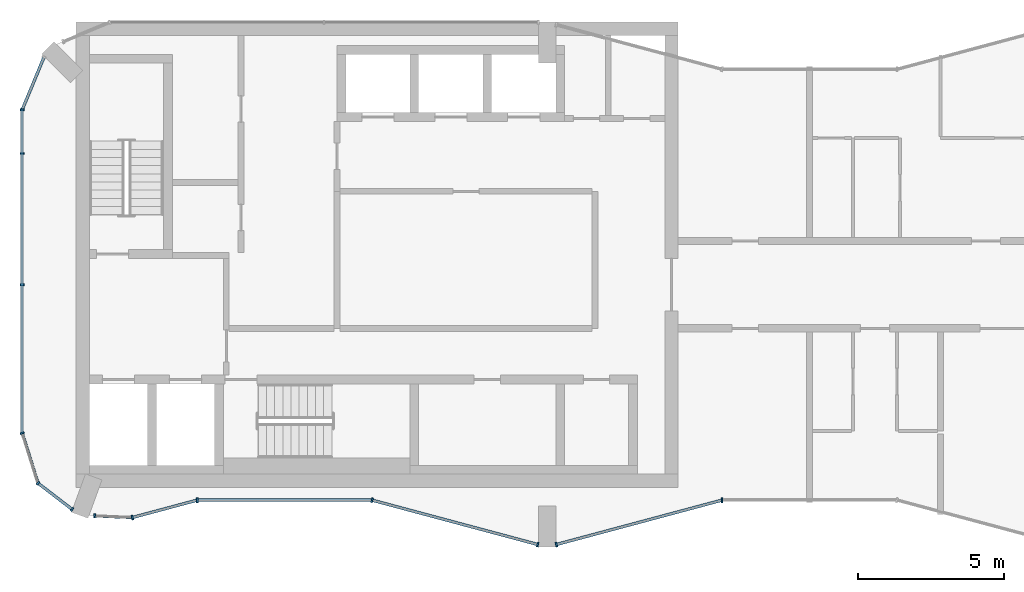
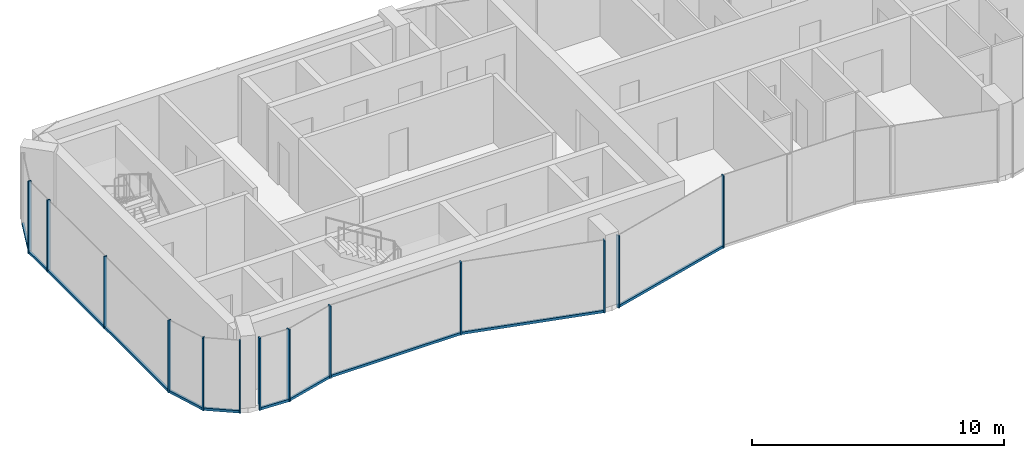
# One storey, part 2 of 10: 22 members, 10 elements without a shape of their own.
"""IFC4 building model written with IfcOpenShell, lengths in metres."""

from ifc_helpers import new_model, si_unit, direction, frame, origin, origin_2d, place, context, subcontext, project, spatial, rectangle, extrude, material, layer, layer_set, material_profile, profile_set, type_object, element, aggregate, save


model = new_model("IFC4")

# Units and contexts
model_context = context("Model", 3, precision=1e-05, world=origin(), true_north=direction((0.0, 1.0)))
body_context = subcontext(model_context, "Body", "Model", "MODEL_VIEW")
ifc_project = project(units=[si_unit("LENGTHUNIT", "METRE"), si_unit("AREAUNIT", "SQUARE_METRE"), si_unit("VOLUMEUNIT", "CUBIC_METRE"), si_unit("PLANEANGLEUNIT", "RADIAN"), si_unit("MASSUNIT", "GRAM", prefix="KILO")], contexts=[model_context])

# Site, building, storey
site_placement = place(None, origin())
site = spatial("IfcSite", under=ifc_project, at=site_placement, CompositionType="ELEMENT")
building_placement = place(site_placement, origin())
building = spatial("IfcBuilding", under=site, at=building_placement, Name="Plateau Cross Towers", CompositionType="ELEMENT")
storey_placement = place(building_placement, frame((0.0, 0.0, 277.39990234375)))
storey = spatial("IfcBuildingStorey", under=building, at=storey_placement, Name="L73", CompositionType="ELEMENT", Elevation=277.39990234375)

# Curtain wall, members
ifc_material_1 = material(Name="Dark low-iron glass", Category="glass")
ifc_layer_1 = layer(ifc_material_1, 0.239990234375)
ifc_layer_set_1 = layer_set([ifc_layer_1], Name="Dark low-iron glass")
curtain_wall_type_1 = type_object("IfcCurtainWallType", Name="Curtain wall flush unitised CW-B", PredefinedType="NOTDEFINED", material=ifc_layer_set_1)
curtain_wall_1_placement = place(storey_placement, origin())
curtain_wall_1 = element("IfcCurtainWall", 1, at=curtain_wall_1_placement, inside=storey, type_object=curtain_wall_type_1, Name="ENV/A/L73/A0_150", PredefinedType="NOTDEFINED")
ifc_material_2 = material(Name="Black anodised aluminium", Category="aluminium")
ifc_material_profile_1 = material_profile(ifc_material_2, rectangle(XDim=0.06005859375, YDim=0.139892578125, at=origin_2d()), Name="MULLION 60x140")
ifc_profile_set_1 = profile_set([ifc_material_profile_1], Name="Black anodised aluminium")
member_type_1 = type_object("IfcMemberType", Name="Mullion 60x140 flush unitised", PredefinedType="MULLION", material=ifc_profile_set_1)
member_1_placement = place(storey_placement, frame((0.0, 15.0, -0.25), z_axis=(0.0, 0.0, 1.0), x_axis=(0.0, -1.0, 0.0)))
member_1 = element("IfcMember", 2, at=member_1_placement, type_object=member_type_1, Name="CW-B mullion 1", PredefinedType="MULLION", context=body_context, shape_type="SweptSolid", body=[
    extrude(rectangle(XDim=0.06005859375, YDim=0.139892578125, at=origin_2d()), origin(), (0.0, 0.0, 1.0), 3.5),
])
member_2_placement = place(storey_placement, frame((0.0, 13.5, -0.25), z_axis=(0.0, 0.0, 1.0), x_axis=(0.0, -1.0, 0.0)))
member_2 = element("IfcMember", 3, at=member_2_placement, type_object=member_type_1, Name="CW-B mullion 2", PredefinedType="MULLION", context=body_context, shape_type="SweptSolid", body=[
    extrude(rectangle(XDim=0.06005859375, YDim=0.139892578125, at=origin_2d()), origin(), (0.0, 0.0, 1.0), 3.5),
])
member_3_placement = place(storey_placement, frame((0.0, 9.0, -0.25), z_axis=(0.0, 0.0, 1.0), x_axis=(0.0, -1.0, 0.0)))
member_3 = element("IfcMember", 4, at=member_3_placement, type_object=member_type_1, Name="CW-B mullion 3", PredefinedType="MULLION", context=body_context, shape_type="SweptSolid", body=[
    extrude(rectangle(XDim=0.06005859375, YDim=0.139892578125, at=origin_2d()), origin(), (0.0, 0.0, 1.0), 3.5),
])

# Curtain wall, member
curtain_wall_2_placement = place(storey_placement, origin())
curtain_wall_2 = element("IfcCurtainWall", 5, at=curtain_wall_2_placement, inside=storey, type_object=curtain_wall_type_1, Name="ENV/A/L73/A0_39", PredefinedType="NOTDEFINED")
member_4_placement = place(storey_placement, frame((0.0, 3.9091796875, -0.25), z_axis=(0.0, 0.0, 1.0), x_axis=(0.300686174994, -0.95372313811, 0.0)))
member_4 = element("IfcMember", 6, at=member_4_placement, type_object=member_type_1, Name="CW-B mullion 1", PredefinedType="MULLION", context=body_context, shape_type="SweptSolid", body=[
    extrude(rectangle(XDim=0.06005859375, YDim=0.139892578125, at=origin_2d()), origin(), (0.0, 0.0, 1.0), 3.5),
])

# Curtain wall, members
curtain_wall_3_placement = place(storey_placement, origin())
curtain_wall_3 = element("IfcCurtainWall", 7, at=curtain_wall_3_placement, inside=storey, type_object=curtain_wall_type_1, Name="ENV/A/L73/A5_22", PredefinedType="NOTDEFINED")
member_5_placement = place(storey_placement, frame((0.54248046875, 2.1884765625, -0.25), z_axis=(0.0, 0.0, 1.0), x_axis=(0.793315514529, -0.608810721331, 0.0)))
member_5 = element("IfcMember", 8, at=member_5_placement, type_object=member_type_1, Name="CW-B mullion 1", PredefinedType="MULLION", context=body_context, shape_type="SweptSolid", body=[
    extrude(rectangle(XDim=0.06005859375, YDim=0.139892578125, at=origin_2d()), origin(), (0.0, 0.0, 1.0), 3.5),
])
member_6_placement = place(storey_placement, frame((1.709716796875, 1.292724609375, -0.25), z_axis=(0.0, 0.0, 1.0), x_axis=(0.793315514529, -0.608810721331, 0.0)))
member_6 = element("IfcMember", 9, at=member_6_placement, type_object=member_type_1, Name="CW-B mullion 2", PredefinedType="MULLION", context=body_context, shape_type="SweptSolid", body=[
    extrude(rectangle(XDim=0.06005859375, YDim=0.139892578125, at=origin_2d()), origin(), (0.0, 0.0, 1.0), 3.5),
])

# Curtain wall, member
curtain_wall_4_placement = place(storey_placement, origin())
curtain_wall_4 = element("IfcCurtainWall", 10, at=curtain_wall_4_placement, inside=storey, type_object=curtain_wall_type_1, Name="ENV/A/L73/A25_11", PredefinedType="NOTDEFINED")
member_7_placement = place(storey_placement, frame((2.483642578125, 1.06787109375, -0.25), z_axis=(0.0, 0.0, 1.0), x_axis=(0.999043701491, -0.043722791671, 0.0)))
member_7 = element("IfcMember", 11, at=member_7_placement, type_object=member_type_1, Name="CW-B mullion 1", PredefinedType="MULLION", context=body_context, shape_type="SweptSolid", body=[
    extrude(rectangle(XDim=0.06005859375, YDim=0.139892578125, at=origin_2d()), origin(), (0.0, 0.0, 1.0), 3.5),
])

ifc_layer_2 = layer(ifc_material_1, 0.260009765625)
ifc_layer_set_2 = layer_set([ifc_layer_2], Name="Dark low-iron glass")
curtain_wall_type_2 = type_object("IfcCurtainWallType", Name="Curtain wall fluted unitised CW-A", PredefinedType="NOTDEFINED", material=ifc_layer_set_2)
curtain_wall_5_placement = place(storey_placement, origin())
curtain_wall_5 = element("IfcCurtainWall", 12, at=curtain_wall_5_placement, inside=storey, type_object=curtain_wall_type_2, Name="ENV/A/L73/A38_10", PredefinedType="NOTDEFINED")
ifc_material_profile_2 = material_profile(ifc_material_2, rectangle(XDim=0.06005859375, YDim=0.159912109375, at=origin_2d()), Name="MULLION 60x160")
ifc_profile_set_2 = profile_set([ifc_material_profile_2], Name="Black anodised aluminium")
member_type_2 = type_object("IfcMemberType", Name="Mullion 60x160 fluted unitised", PredefinedType="MULLION", material=ifc_profile_set_2)
member_8_placement = place(storey_placement, frame((3.776123046875, 1.01123046875, -0.25), z_axis=(0.0, 0.0, 1.0), x_axis=(0.965957962328, 0.258699081978, 0.0)))
member_8 = element("IfcMember", 13, at=member_8_placement, type_object=member_type_2, Name="CW-A mullion 1", PredefinedType="MULLION", context=body_context, shape_type="SweptSolid", body=[
    extrude(rectangle(XDim=0.06005859375, YDim=0.159912109375, at=origin_2d()), origin(), (0.0, 0.0, 1.0), 3.5),
])

curtain_wall_6_placement = place(storey_placement, origin())
curtain_wall_6 = element("IfcCurtainWall", 14, at=curtain_wall_6_placement, inside=storey, type_object=curtain_wall_type_2, Name="ENV/A/L73/A60_16", PredefinedType="NOTDEFINED")
member_9_placement = place(storey_placement, frame((6.0, 1.60693359375, -0.25), z_axis=(0.0, 0.0, 1.0), x_axis=(1.0, 0.0, 0.0)))
member_9 = element("IfcMember", 15, at=member_9_placement, type_object=member_type_2, Name="CW-A mullion 1", PredefinedType="MULLION", context=body_context, shape_type="SweptSolid", body=[
    extrude(rectangle(XDim=0.06005859375, YDim=0.159912109375, at=origin_2d()), origin(), (0.0, 0.0, 1.0), 3.5),
])

# Curtain wall, members
curtain_wall_7_placement = place(storey_placement, origin())
curtain_wall_7 = element("IfcCurtainWall", 16, at=curtain_wall_7_placement, inside=storey, type_object=curtain_wall_type_2, Name="ENV/A/L73/A120_16", PredefinedType="NOTDEFINED")
member_10_placement = place(storey_placement, frame((12.0, 1.60693359375, -0.25), z_axis=(0.0, 0.0, 1.0), x_axis=(0.965957983404, -0.258699003279, 0.0)))
member_10 = element("IfcMember", 17, at=member_10_placement, type_object=member_type_2, Name="CW-A mullion 1", PredefinedType="MULLION", context=body_context, shape_type="SweptSolid", body=[
    extrude(rectangle(XDim=0.06005859375, YDim=0.159912109375, at=origin_2d()), origin(), (0.0, 0.0, 1.0), 3.5),
])
member_11_placement = place(storey_placement, frame((17.68212890625, 0.085205078125, -0.25), z_axis=(0.0, 0.0, 1.0), x_axis=(0.965957983404, -0.258699003279, 0.0)))
member_11 = element("IfcMember", 18, at=member_11_placement, type_object=member_type_2, Name="CW-A mullion 2", PredefinedType="MULLION", context=body_context, shape_type="SweptSolid", body=[
    extrude(rectangle(XDim=0.06005859375, YDim=0.159912109375, at=origin_2d()), origin(), (0.0, 0.0, 1.0), 3.5),
])

# Curtain wall, member
curtain_wall_8_placement = place(storey_placement, origin())
curtain_wall_8 = element("IfcCurtainWall", 19, at=curtain_wall_8_placement, inside=storey, type_object=curtain_wall_type_2, Name="ENV/A/L73/A183_1", PredefinedType="NOTDEFINED")
member_12_placement = place(storey_placement, frame((18.31787109375, 0.085205078125, -0.25), z_axis=(0.0, 0.0, 1.0), x_axis=(0.965957983404, 0.258699003279, 0.0)))
member_12 = element("IfcMember", 20, at=member_12_placement, type_object=member_type_2, Name="CW-A mullion 1", PredefinedType="MULLION", context=body_context, shape_type="SweptSolid", body=[
    extrude(rectangle(XDim=0.06005859375, YDim=0.159912109375, at=origin_2d()), origin(), (0.0, 0.0, 1.0), 3.5),
])

curtain_wall_9_placement = place(storey_placement, origin())
curtain_wall_9 = element("IfcCurtainWall", 21, at=curtain_wall_9_placement, inside=storey, type_object=curtain_wall_type_2, Name="ENV/A/L73/A240_16", PredefinedType="NOTDEFINED")
member_13_placement = place(storey_placement, frame((24.0, 1.60693359375, -0.25), z_axis=(0.0, 0.0, 1.0), x_axis=(1.0, 0.0, 0.0)))
member_13 = element("IfcMember", 22, at=member_13_placement, type_object=member_type_2, Name="CW-A mullion 1", PredefinedType="MULLION", context=body_context, shape_type="SweptSolid", body=[
    extrude(rectangle(XDim=0.06005859375, YDim=0.159912109375, at=origin_2d()), origin(), (0.0, 0.0, 1.0), 3.5),
])
aggregate(curtain_wall_9, [member_13])

curtain_wall_10_placement = place(storey_placement, origin())
curtain_wall_10 = element("IfcCurtainWall", 23, at=curtain_wall_10_placement, inside=storey, type_object=curtain_wall_type_1, Name="ENV/A/L73/A7_168", PredefinedType="NOTDEFINED")
ifc_material_profile_3 = material_profile(ifc_material_2, rectangle(XDim=0.10009765625, YDim=0.1201171875, at=origin_2d()), Name="TRANSOM 100x120")
ifc_profile_set_3 = profile_set([ifc_material_profile_3], Name="Black anodised aluminium")
member_type_3 = type_object("IfcMemberType", Name="Transom 100x120 flush unitised", PredefinedType="USERDEFINED", material=ifc_profile_set_3)
member_14_placement = place(storey_placement, frame((0.748046875, 16.805908203125, -0.18994140625), z_axis=(-0.382690071798, -0.92387678234, 0.0), x_axis=(0.92387678234, -0.382690071798, 0.0)))
member_14 = element("IfcMember", 24, at=member_14_placement, type_object=member_type_3, Name="CW-B transom", ObjectType="TRANSOM", PredefinedType="USERDEFINED", context=body_context, shape_type="SweptSolid", body=[
    extrude(rectangle(XDim=0.10009765625, YDim=0.1201171875, at=origin_2d()), origin(), (0.0, 0.0, 1.0), 1.95458984375),
])
aggregate(curtain_wall_10, [member_14])

# Member
member_15_placement = place(storey_placement, frame((0.0, 15.0, -0.18994140625), z_axis=(0.0, -1.0, 0.0), x_axis=(1.0, 0.0, 0.0)))
member_15 = element("IfcMember", 25, at=member_15_placement, type_object=member_type_3, Name="CW-B transom", ObjectType="TRANSOM", PredefinedType="USERDEFINED", context=body_context, shape_type="SweptSolid", body=[
    extrude(rectangle(XDim=0.10009765625, YDim=0.1201171875, at=origin_2d()), origin(), (0.0, 0.0, 1.0), 11.0908203125),
])

aggregate(curtain_wall_1, [member_1, member_2, member_3, member_15])

member_16_placement = place(storey_placement, frame((0.0, 3.9091796875, -0.18994140625), z_axis=(0.30067799945, -0.953725715626, 0.0), x_axis=(0.953725715626, 0.30067799945, 0.0)))
member_16 = element("IfcMember", 26, at=member_16_placement, type_object=member_type_3, Name="CW-B transom", ObjectType="TRANSOM", PredefinedType="USERDEFINED", context=body_context, shape_type="SweptSolid", body=[
    extrude(rectangle(XDim=0.10009765625, YDim=0.1201171875, at=origin_2d()), origin(), (0.0, 0.0, 1.0), 1.80419921875),
])

aggregate(curtain_wall_2, [member_4, member_16])

member_17_placement = place(storey_placement, frame((0.54248046875, 2.1884765625, -0.18994140625), z_axis=(0.793320508571, -0.608804213751, 0.0), x_axis=(0.608804213751, 0.793320508571, 0.0)))
member_17 = element("IfcMember", 27, at=member_17_placement, type_object=member_type_3, Name="CW-B transom", ObjectType="TRANSOM", PredefinedType="USERDEFINED", context=body_context, shape_type="SweptSolid", body=[
    extrude(rectangle(XDim=0.10009765625, YDim=0.1201171875, at=origin_2d()), origin(), (0.0, 0.0, 1.0), 1.471435546875),
])

aggregate(curtain_wall_3, [member_5, member_6, member_17])

member_18_placement = place(storey_placement, frame((2.483642578125, 1.06787109375, -0.18994140625), z_axis=(0.999041144614, -0.043781175963, 0.0), x_axis=(0.043781175963, 0.999041144614, 0.0)))
member_18 = element("IfcMember", 28, at=member_18_placement, type_object=member_type_3, Name="CW-B transom", ObjectType="TRANSOM", PredefinedType="USERDEFINED", context=body_context, shape_type="SweptSolid", body=[
    extrude(rectangle(XDim=0.10009765625, YDim=0.1201171875, at=origin_2d()), origin(), (0.0, 0.0, 1.0), 1.293701171875),
])

aggregate(curtain_wall_4, [member_7, member_18])

ifc_material_profile_4 = material_profile(ifc_material_2, rectangle(XDim=0.10009765625, YDim=0.1201171875, at=origin_2d()), Name="TRANSOM 100x120")
ifc_profile_set_4 = profile_set([ifc_material_profile_4], Name="Black anodised aluminium")
member_type_4 = type_object("IfcMemberType", Name="Transom 100x120 fluted unitised", PredefinedType="USERDEFINED", material=ifc_profile_set_4)
member_19_placement = place(storey_placement, frame((3.776123046875, 1.01123046875, -0.18994140625), z_axis=(0.965945685136, 0.258744919501, 0.0), x_axis=(-0.258744919501, 0.965945685136, 0.0)))
member_19 = element("IfcMember", 29, at=member_19_placement, type_object=member_type_4, Name="CW-A transom", ObjectType="TRANSOM", PredefinedType="USERDEFINED", context=body_context, shape_type="SweptSolid", body=[
    extrude(rectangle(XDim=0.10009765625, YDim=0.1201171875, at=origin_2d()), origin(), (0.0, 0.0, 1.0), 2.30224609375),
])

aggregate(curtain_wall_5, [member_8, member_19])

member_20_placement = place(storey_placement, frame((6.0, 1.60693359375, -0.18994140625), z_axis=(1.0, 0.0, 0.0), x_axis=(0.0, 1.0, 0.0)))
member_20 = element("IfcMember", 30, at=member_20_placement, type_object=member_type_4, Name="CW-A transom", ObjectType="TRANSOM", PredefinedType="USERDEFINED", context=body_context, shape_type="SweptSolid", body=[
    extrude(rectangle(XDim=0.10009765625, YDim=0.1201171875, at=origin_2d()), origin(), (0.0, 0.0, 1.0), 6.0),
])

aggregate(curtain_wall_6, [member_9, member_20])

member_21_placement = place(storey_placement, frame((12.0, 1.60693359375, -0.18994140625), z_axis=(0.965959534794, -0.258693210465, 0.0), x_axis=(0.258693210465, 0.965959534794, 0.0)))
member_21 = element("IfcMember", 31, at=member_21_placement, type_object=member_type_4, Name="CW-A transom", ObjectType="TRANSOM", PredefinedType="USERDEFINED", context=body_context, shape_type="SweptSolid", body=[
    extrude(rectangle(XDim=0.10009765625, YDim=0.1201171875, at=origin_2d()), origin(), (0.0, 0.0, 1.0), 5.88232421875),
])

aggregate(curtain_wall_7, [member_10, member_11, member_21])

member_22_placement = place(storey_placement, frame((18.31787109375, 0.085205078125, -0.18994140625), z_axis=(0.965959534794, 0.258693210465, 0.0), x_axis=(-0.258693210465, 0.965959534794, 0.0)))
member_22 = element("IfcMember", 32, at=member_22_placement, type_object=member_type_4, Name="CW-A transom", ObjectType="TRANSOM", PredefinedType="USERDEFINED", context=body_context, shape_type="SweptSolid", body=[
    extrude(rectangle(XDim=0.10009765625, YDim=0.1201171875, at=origin_2d()), origin(), (0.0, 0.0, 1.0), 5.88232421875),
])

aggregate(curtain_wall_8, [member_12, member_22])

save(model, "model.ifc")
